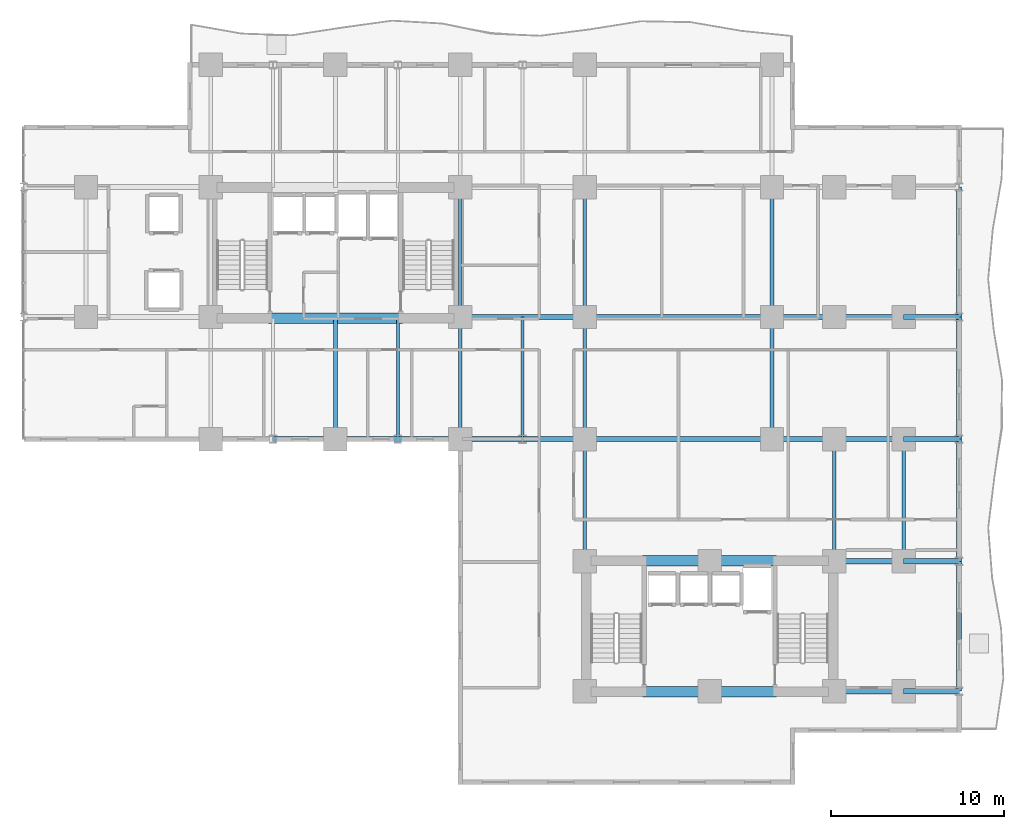
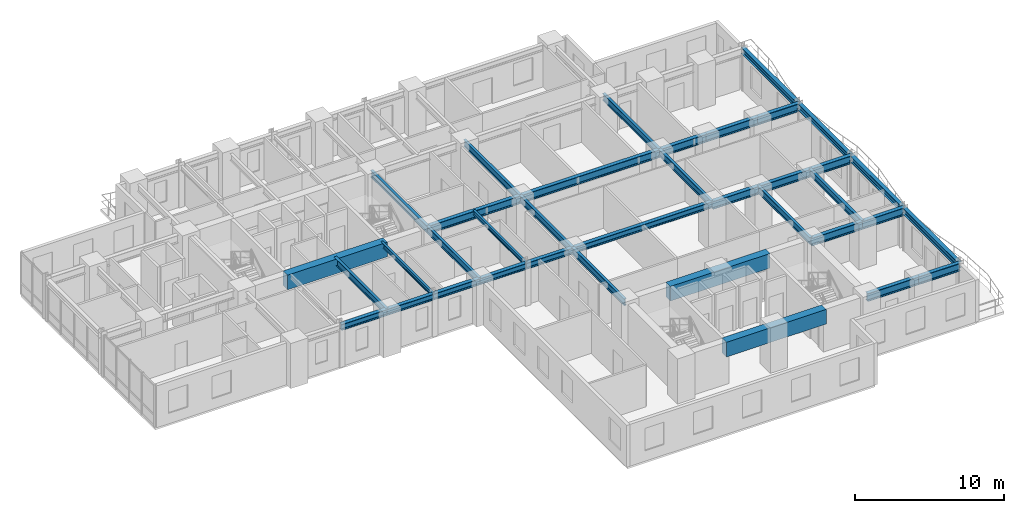
# One storey, part 5 of 17: 37 beams.
"""IFC4 building model written with IfcOpenShell, lengths in metres."""

import ifcopenshell
import ifcopenshell.guid

model = None  # the IFC model being written
_history = None  # IfcOwnerHistory: only IFC2X3 demands one
_inside = {}  # id of a spatial element -> (the spatial element, [elements in it])
_under = {}  # id of a project, library or spatial element -> (it, [spatial elements below it])
_declared = {}  # id of a project -> (the project, [libraries it declares])
_typed = {}  # id of a type object -> (the type object, [elements of that type])
_made_of = {}  # id of a material, layer set ... -> (it, [elements and type objects made of it])


def new_model(schema):
    """Start an empty IFC model of exactly this schema.

    Asked for "IFC4X3", IfcOpenShell would pick the latest addendum, in which some entities
    have other attributes; the version numbers below select the first issue.
    IFC2X3 requires an IfcOwnerHistory on every rooted entity: one is made here for all.
    """
    global model, _history
    if schema == "IFC4X3":
        model = ifcopenshell.file(schema_version=(4, 3, 0, 0))
    else:
        model = ifcopenshell.file(schema=schema)
    _inside.clear()
    _under.clear()
    _declared.clear()
    _typed.clear()
    _made_of.clear()
    _history = None
    if model.schema == "IFC2X3":
        org = make("IfcOrganization", Name="unknown")
        user = make(
            "IfcPersonAndOrganization",
            ThePerson=make("IfcPerson", FamilyName="unknown"),
            TheOrganization=org,
        )
        app = make(
            "IfcApplication",
            ApplicationDeveloper=org,
            Version="unknown",
            ApplicationFullName="unknown",
            ApplicationIdentifier="unknown",
        )
        _history = make(
            "IfcOwnerHistory",
            OwningUser=user,
            OwningApplication=app,
            ChangeAction="ADDED",
            CreationDate=0,
        )
    return model


def make(cls, **values):
    """One entity of the class cls with the attributes given. An attribute that is None is left unset."""
    return model.create_entity(
        cls, **{name: value for name, value in values.items() if value is not None}
    )


def rooted(cls, **values):
    """An entity with a GlobalId (a new one), such as an element, a storey or a relation."""
    return make(cls, GlobalId=ifcopenshell.guid.new(), OwnerHistory=_history, **values)


def si_unit(unit_type, name, prefix=None):
    """IfcSIUnit, for example si_unit("LENGTHUNIT", "METRE", prefix="MILLI")."""
    return make("IfcSIUnit", UnitType=unit_type, Prefix=prefix, Name=name)


def assignment(units):
    """IfcUnitAssignment: the units of a project."""
    return None if units is None else make("IfcUnitAssignment", Units=units)


def point(xyz):
    """IfcCartesianPoint."""
    return None if xyz is None else make("IfcCartesianPoint", Coordinates=xyz)


def direction(xyz):
    """IfcDirection."""
    return None if xyz is None else make("IfcDirection", DirectionRatios=xyz)


def frame(location, z_axis=None, x_axis=None):
    """IfcAxis2Placement3D, a coordinate frame: its origin and axes. An axis left out is left unset."""
    return make(
        "IfcAxis2Placement3D",
        Location=point(location),
        Axis=direction(z_axis),
        RefDirection=direction(x_axis),
    )


def frame_2d(location, x_axis=None):
    """IfcAxis2Placement2D, a coordinate frame in the plane: its origin and x axis."""
    return make(
        "IfcAxis2Placement2D", Location=point(location), RefDirection=direction(x_axis)
    )


def origin():
    """The frame at (0, 0, 0) with its axes left unset."""
    return frame((0.0, 0.0, 0.0))


def origin_2d():
    """The frame at (0, 0) in the plane with its x axis left unset."""
    return frame_2d((0.0, 0.0))


def place(relative_to, where):
    """IfcLocalPlacement: puts the frame where relative to a parent placement (None: the world)."""
    return make(
        "IfcLocalPlacement", PlacementRelTo=relative_to, RelativePlacement=where
    )


def context(
    kind, dimensions, precision=None, world=None, true_north=None, identifier=None
):
    """IfcGeometricRepresentationContext, for example the 3D "Model" context."""
    return make(
        "IfcGeometricRepresentationContext",
        ContextIdentifier=identifier,
        ContextType=kind,
        CoordinateSpaceDimension=dimensions,
        Precision=precision,
        WorldCoordinateSystem=world,
        TrueNorth=true_north,
    )


def subcontext(parent, identifier, kind, view, scale=None):
    """IfcGeometricRepresentationSubContext, for example "Body" below "Model"."""
    return make(
        "IfcGeometricRepresentationSubContext",
        ContextIdentifier=identifier,
        ContextType=kind,
        ParentContext=parent,
        TargetScale=scale,
        TargetView=view,
    )


def project(units=None, contexts=None):
    """IfcProject with its units and contexts."""
    return rooted(
        "IfcProject",
        Name="project",
        RepresentationContexts=contexts,
        UnitsInContext=assignment(units),
    )


def spatial(cls, under=None, at=None, **own):
    """A site, building, storey or space (cls), placed at a placement, below another one or the project."""
    s = rooted(cls, ObjectPlacement=at, **own)
    if under is not None:
        _under.setdefault(under.id(), (under, []))[1].append(s)
    return s


def profile(cls, at=None, kind="AREA", **sizes):
    """A parametric profile (cls). Its sizes go by their IFC names, for example OverallWidth=200.0."""
    return make(cls, ProfileType=kind, Position=at, **sizes)


def rectangle(**sizes):
    """IfcRectangleProfileDef."""
    return profile("IfcRectangleProfileDef", **sizes)


def i_section(**sizes):
    """IfcIShapeProfileDef."""
    return profile("IfcIShapeProfileDef", **sizes)


def extrude(swept, where, along, depth):
    """IfcExtrudedAreaSolid: the profile swept, set in the frame where, extruded along a direction by depth."""
    return make(
        "IfcExtrudedAreaSolid",
        SweptArea=swept,
        Position=where,
        ExtrudedDirection=direction(along),
        Depth=depth,
    )


def shape(context_of_items, identifier, shape_type, items):
    """IfcShapeRepresentation: the items that make up one representation, for example the "Body"."""
    return make(
        "IfcShapeRepresentation",
        ContextOfItems=context_of_items,
        RepresentationIdentifier=identifier,
        RepresentationType=shape_type,
        Items=items,
    )


def source(mapping_origin, context_of_items, identifier, shape_type, items):
    """IfcRepresentationMap: a shape defined once, which mapped items show again and again."""
    return make(
        "IfcRepresentationMap",
        MappingOrigin=mapping_origin,
        MappedRepresentation=shape(context_of_items, identifier, shape_type, items),
    )


def transform(
    local_origin,
    x_axis=None,
    y_axis=None,
    z_axis=None,
    scale=None,
    scale2=None,
    scale3=None,
    uniform=True,
):
    """IfcCartesianTransformationOperator3D, or its non-uniform kind. x_axis, y_axis, z_axis: its Axis1, 2, 3."""
    if uniform:
        return make(
            "IfcCartesianTransformationOperator3D",
            Axis1=direction(x_axis),
            Axis2=direction(y_axis),
            LocalOrigin=point(local_origin),
            Scale=scale,
            Axis3=direction(z_axis),
        )
    return make(
        "IfcCartesianTransformationOperator3DnonUniform",
        Axis1=direction(x_axis),
        Axis2=direction(y_axis),
        LocalOrigin=point(local_origin),
        Scale=scale,
        Axis3=direction(z_axis),
        Scale2=scale2,
        Scale3=scale3,
    )


def mapped(mapping_source, mapping_target):
    """IfcMappedItem: shows the shape of a source again, moved by a transform."""
    return make(
        "IfcMappedItem", MappingSource=mapping_source, MappingTarget=mapping_target
    )


def material(Name=None, Category=None):
    """IfcMaterial."""
    return make("IfcMaterial", Name=Name, Category=Category)


def material_profile(
    of_material, cross_section, Name=None, Category=None, Priority=None
):
    """IfcMaterialProfile: a cross section and its material."""
    return make(
        "IfcMaterialProfile",
        Name=Name,
        Material=of_material,
        Profile=cross_section,
        Priority=Priority,
        Category=Category,
    )


def profile_set(profiles, Name=None, composite=None):
    """IfcMaterialProfileSet."""
    return make(
        "IfcMaterialProfileSet",
        Name=Name,
        MaterialProfiles=profiles,
        CompositeProfile=composite,
    )


def made_of(thing, what):
    """Note that an element or type object is made of a material, layer set ...; save() writes the relation."""
    if what is not None:
        _made_of.setdefault(what.id(), (what, []))[1].append(thing)
    return thing


def type_object(cls, material=None, **own):
    """A type object (cls), such as IfcWallType, which elements share."""
    return made_of(rooted(cls, **own), material)


def element(
    cls,
    number,
    at=None,
    inside=None,
    cuts=None,
    type_object=None,
    material=None,
    context=None,
    identifier="Body",
    shape_type=None,
    held_by="IfcProductDefinitionShape",
    body=None,
    shapes=None,
    **own,
):
    """One element of the class cls, such as IfcWall. Its Tag is "e" and its number.

    at: its placement. inside: the storey or other place that contains it. cuts: it is an
    opening in that element (IfcRelVoidsElement). A single representation is given by context,
    identifier, shape_type and body (its items); several are given by shapes. held_by: the class
    of the entity that holds the representations. save() writes the other relations.
    """
    e = rooted(cls, Tag="e%d" % number, ObjectPlacement=at, **own)
    if body is not None:
        shapes = [shape(context, identifier, shape_type, body)]
    if shapes is not None:
        e.Representation = make(held_by, Representations=shapes)
    if inside is not None:
        _inside.setdefault(inside.id(), (inside, []))[1].append(e)
    if cuts is not None:
        rooted(
            "IfcRelVoidsElement", RelatingBuildingElement=cuts, RelatedOpeningElement=e
        )
    if type_object is not None:
        _typed.setdefault(type_object.id(), (type_object, []))[1].append(e)
    return made_of(e, material)


def aggregate(whole, parts):
    """IfcRelAggregates: a whole, such as a stair, and the parts it consists of."""
    return rooted("IfcRelAggregates", RelatingObject=whole, RelatedObjects=parts)


def save(model, path):
    """Write the relations noted so far, then the file.

    IfcRelAggregates (storeys below a building ...), IfcRelContainedInSpatialStructure (elements
    in a storey), IfcRelDefinesByType, IfcRelAssociatesMaterial and IfcRelDeclares: one each for
    every whole, place, type object, material and project.
    """
    for whole, parts in _under.values():
        aggregate(whole, parts)
    for where, things in _inside.values():
        rooted(
            "IfcRelContainedInSpatialStructure",
            RelatedElements=things,
            RelatingStructure=where,
        )
    for kind, things in _typed.values():
        rooted("IfcRelDefinesByType", RelatedObjects=things, RelatingType=kind)
    for what, things in _made_of.values():
        rooted("IfcRelAssociatesMaterial", RelatedObjects=things, RelatingMaterial=what)
    for by, libraries in _declared.values():
        rooted("IfcRelDeclares", RelatingContext=by, RelatedDefinitions=libraries)
    model.write(path)


model = new_model("IFC4")

# Units and contexts
model_context = context("Model", 3, precision=1e-05, world=origin(), true_north=direction((0.0, 1.0)))
body_context = subcontext(model_context, "Body", "Model", "MODEL_VIEW")
ifc_project = project(units=[si_unit("LENGTHUNIT", "METRE"), si_unit("AREAUNIT", "SQUARE_METRE"), si_unit("VOLUMEUNIT", "CUBIC_METRE"), si_unit("PLANEANGLEUNIT", "RADIAN"), si_unit("MASSUNIT", "GRAM", prefix="KILO")], contexts=[model_context])

# Site, building, storey
site_placement = place(None, origin())
site = spatial("IfcSite", under=ifc_project, at=site_placement, CompositionType="ELEMENT")
building_placement = place(site_placement, origin())
building = spatial("IfcBuilding", under=site, at=building_placement, Name="Kaliganga Portal Commons", CompositionType="ELEMENT")
storey_placement = place(building_placement, frame((0.0, 0.0, 62.300048828125)))
storey = spatial("IfcBuildingStorey", under=building, at=storey_placement, Name="L15", CompositionType="ELEMENT", Elevation=62.300048828125)

# Beams
ifc_material_1 = material(Name="Concrete C60/75", Category="concrete")
ifc_material_profile_1 = material_profile(ifc_material_1, rectangle(XDim=0.60009765625, YDim=1.199951171875, at=origin_2d()), Name="RC 600x1200")
ifc_profile_set_1 = profile_set([ifc_material_profile_1], Name="Concrete C60/75")
beam_type_1 = type_object("IfcBeamType", Name="BM-CPL-1200", PredefinedType="LINTEL", material=ifc_profile_set_1)
shared_shape_1 = source(origin(), body_context, "Body", "SweptSolid", [
    extrude(rectangle(XDim=0.60009765625, YDim=1.199951171875, at=origin_2d()), origin(), (0.0, 0.0, 1.0), 7.739990234375),
])
for number, where, z_axis, x_axis, name in (
    (1, (17.72998046875, 28.574951171875, 2.849853515625), (1.0, 0.0, 0.0), (0.0, 1.0, 0.0), "BM CPL COREA L15 S"),
    (2, (39.330078125, 7.02490234375, 2.849853515625), (1.0, 0.0, 0.0), (0.0, 1.0, 0.0), "BM CPL COREB L15 S"),
    (3, (39.330078125, 14.574951171875, 2.849853515625), (1.0, 0.0, 0.0), (0.0, 1.0, 0.0), "BM CPL COREB L15 N"),
):
    element("IfcBeam", number, at=place(storey_placement, frame(where, z_axis=z_axis, x_axis=x_axis)), inside=storey, type_object=beam_type_1, Name=name, PredefinedType="LINTEL", context=body_context, shape_type="MappedRepresentation", body=[
        mapped(shared_shape_1, transform((0.0, 0.0, 0.0), x_axis=(1.0, 0.0, 0.0), y_axis=(0.0, 1.0, 0.0), z_axis=(0.0, 0.0, 1.0), scale=1.0)),
    ])
ifc_material_2 = material(Name="Structural steel S355J2", Category="steel")
ifc_material_profile_2 = material_profile(ifc_material_2, i_section(OverallWidth=0.300048828125, OverallDepth=0.5, WebThickness=0.014404296875, FlangeThickness=0.028076171875, FilletRadius=0.027099609375, at=origin_2d()), Name="HE 500 B")
ifc_profile_set_2 = profile_set([ifc_material_profile_2], Name="Structural steel S355J2 wide-flange")
beam_type_2 = type_object("IfcBeamType", Name="BM-SPAND-500", PredefinedType="SPANDREL", material=ifc_profile_set_2)
shared_shape_2 = source(origin(), body_context, "Body", "SweptSolid", [
    extrude(i_section(OverallWidth=0.300048828125, OverallDepth=0.5, WebThickness=0.014404296875, FlangeThickness=0.028076171875, FilletRadius=0.027099609375, at=origin_2d()), origin(), (0.0, 0.0, 1.0), 10.800048828125),
])
beam_1_placement = place(storey_placement, frame((36.0, 21.60009765625, 3.199951171875), z_axis=(1.0, 0.0, 0.0), x_axis=(0.0, 1.0, 0.0)))
element("IfcBeam", 4, at=beam_1_placement, inside=storey, type_object=beam_type_2, Name="BM SP L15 AS 7", PredefinedType="SPANDREL", context=body_context, shape_type="MappedRepresentation", body=[
    mapped(shared_shape_2, transform((0.0, 0.0, 0.0), x_axis=(1.0, 0.0, 0.0), y_axis=(0.0, 1.0, 0.0), z_axis=(0.0, 0.0, 1.0), scale=1.0)),
])
shared_shape_3 = source(origin(), body_context, "Body", "SweptSolid", [
    extrude(i_section(OverallWidth=0.300048828125, OverallDepth=0.5, WebThickness=0.014404296875, FlangeThickness=0.028076171875, FilletRadius=0.027099609375, at=origin_2d()), origin(), (0.0, 0.0, 1.0), 7.5),
])
for number, where, z_axis, x_axis, name in (
    (5, (57.60009765625, 7.050048828125, 3.199951171875), (0.0, 1.0, 0.0), (-1.0, 0.0, 0.0), "BM SP L15 BE 1"),
    (6, (57.60009765625, 28.64990234375, 3.199951171875), (0.0, 1.0, 0.0), (-1.0, 0.0, 0.0), "BM SP L15 BE 4"),
):
    element("IfcBeam", number, at=place(storey_placement, frame(where, z_axis=z_axis, x_axis=x_axis)), inside=storey, type_object=beam_type_2, Name=name, PredefinedType="SPANDREL", context=body_context, shape_type="MappedRepresentation", body=[
        mapped(shared_shape_3, transform((0.0, 0.0, 0.0), x_axis=(1.0, 0.0, 0.0), y_axis=(0.0, 1.0, 0.0), z_axis=(0.0, 0.0, 1.0), scale=1.0)),
    ])
shared_shape_4 = source(origin(), body_context, "Body", "SweptSolid", [
    extrude(i_section(OverallWidth=0.300048828125, OverallDepth=0.5, WebThickness=0.014404296875, FlangeThickness=0.028076171875, FilletRadius=0.027099609375, at=origin_2d()), origin(), (0.0, 0.0, 1.0), 7.050048828125),
])
beam_2_placement = place(storey_placement, frame((57.60009765625, 14.550048828125, 3.199951171875), z_axis=(0.0, 1.0, 0.0), x_axis=(-1.0, 0.0, 0.0)))
element("IfcBeam", 7, at=beam_2_placement, inside=storey, type_object=beam_type_2, Name="BM SP L15 BE 2", PredefinedType="SPANDREL", context=body_context, shape_type="MappedRepresentation", body=[
    mapped(shared_shape_4, transform((0.0, 0.0, 0.0), x_axis=(1.0, 0.0, 0.0), y_axis=(0.0, 1.0, 0.0), z_axis=(0.0, 0.0, 1.0), scale=1.0)),
])
shared_shape_5 = source(origin(), body_context, "Body", "SweptSolid", [
    extrude(i_section(OverallWidth=0.300048828125, OverallDepth=0.5, WebThickness=0.014404296875, FlangeThickness=0.028076171875, FilletRadius=0.027099609375, at=origin_2d()), origin(), (0.0, 0.0, 1.0), 7.0498046875),
])
beam_3_placement = place(storey_placement, frame((57.60009765625, 21.60009765625, 3.199951171875), z_axis=(0.0, 1.0, 0.0), x_axis=(-1.0, 0.0, 0.0)))
element("IfcBeam", 8, at=beam_3_placement, inside=storey, type_object=beam_type_2, Name="BM SP L15 BE 3", PredefinedType="SPANDREL", context=body_context, shape_type="MappedRepresentation", body=[
    mapped(shared_shape_5, transform((0.0, 0.0, 0.0), x_axis=(1.0, 0.0, 0.0), y_axis=(0.0, 1.0, 0.0), z_axis=(0.0, 0.0, 1.0), scale=1.0)),
])
shared_shape_6 = source(origin(), body_context, "Body", "SweptSolid", [
    extrude(i_section(OverallWidth=0.300048828125, OverallDepth=0.5, WebThickness=0.014404296875, FlangeThickness=0.028076171875, FilletRadius=0.027099609375, at=origin_2d()), origin(), (0.0, 0.0, 1.0), 3.60009765625),
])
for number, where, z_axis, x_axis, name in (
    (9, (18.0, 21.60009765625, 3.199951171875), (1.0, 0.0, 0.0), (0.0, 1.0, 0.0), "BM SP L15 AS 2"),
    (10, (25.199951171875, 21.60009765625, 3.199951171875), (1.0, 0.0, 0.0), (0.0, 1.0, 0.0), "BM SP L15 AS 4"),
    (11, (32.39990234375, 21.60009765625, 3.199951171875), (1.0, 0.0, 0.0), (0.0, 1.0, 0.0), "BM SP L15 AS 6"),
):
    element("IfcBeam", number, at=place(storey_placement, frame(where, z_axis=z_axis, x_axis=x_axis)), inside=storey, type_object=beam_type_2, Name=name, PredefinedType="SPANDREL", context=body_context, shape_type="MappedRepresentation", body=[
        mapped(shared_shape_6, transform((0.0, 0.0, 0.0), x_axis=(1.0, 0.0, 0.0), y_axis=(0.0, 1.0, 0.0), z_axis=(0.0, 0.0, 1.0), scale=1.0)),
    ])
shared_shape_7 = source(origin(), body_context, "Body", "SweptSolid", [
    extrude(i_section(OverallWidth=0.300048828125, OverallDepth=0.5, WebThickness=0.014404296875, FlangeThickness=0.028076171875, FilletRadius=0.027099609375, at=origin_2d()), origin(), (0.0, 0.0, 1.0), 3.599853515625),
])
for number, where, z_axis, x_axis, name in (
    (12, (21.60009765625, 21.60009765625, 3.199951171875), (1.0, 0.0, 0.0), (0.0, 1.0, 0.0), "BM SP L15 AS 3"),
    (13, (28.800048828125, 21.60009765625, 3.199951171875), (1.0, 0.0, 0.0), (0.0, 1.0, 0.0), "BM SP L15 AS 5"),
):
    element("IfcBeam", number, at=place(storey_placement, frame(where, z_axis=z_axis, x_axis=x_axis)), inside=storey, type_object=beam_type_2, Name=name, PredefinedType="SPANDREL", context=body_context, shape_type="MappedRepresentation", body=[
        mapped(shared_shape_7, transform((0.0, 0.0, 0.0), x_axis=(1.0, 0.0, 0.0), y_axis=(0.0, 1.0, 0.0), z_axis=(0.0, 0.0, 1.0), scale=1.0)),
    ])
ifc_material_profile_3 = material_profile(ifc_material_2, i_section(OverallWidth=0.300048828125, OverallDepth=0.64990234375, WebThickness=0.01611328125, FlangeThickness=0.031005859375, FilletRadius=0.027099609375, at=origin_2d()), Name="HE 650 B")
ifc_profile_set_3 = profile_set([ifc_material_profile_3], Name="Structural steel S355J2 wide-flange")
beam_type_3 = type_object("IfcBeamType", Name="BM-GIRD-650", PredefinedType="USERDEFINED", material=ifc_profile_set_3)
shared_shape_8 = source(origin(), body_context, "Body", "SweptSolid", [
    extrude(i_section(OverallWidth=0.300048828125, OverallDepth=0.64990234375, WebThickness=0.01611328125, FlangeThickness=0.031005859375, FilletRadius=0.027099609375, at=origin_2d()), origin(), (0.0, 0.0, 1.0), 3.599853515625),
])
for number, where, z_axis, x_axis, name in (
    (14, (46.800048828125, 21.60009765625, 3.125), (1.0, 0.0, 0.0), (0.0, 1.0, 0.0), "BM G L15 BKE216 1"),
    (15, (46.800048828125, 28.64990234375, 3.125), (1.0, 0.0, 0.0), (0.0, 1.0, 0.0), "BM G L15 BKE286 1"),
):
    element("IfcBeam", number, at=place(storey_placement, frame(where, z_axis=z_axis, x_axis=x_axis)), inside=storey, type_object=beam_type_3, Name=name, ObjectType="GIRDER", PredefinedType="USERDEFINED", context=body_context, shape_type="MappedRepresentation", body=[
        mapped(shared_shape_8, transform((0.0, 0.0, 0.0), x_axis=(1.0, 0.0, 0.0), y_axis=(0.0, 1.0, 0.0), z_axis=(0.0, 0.0, 1.0), scale=1.0)),
    ])
shared_shape_9 = source(origin(), body_context, "Body", "SweptSolid", [
    extrude(i_section(OverallWidth=0.300048828125, OverallDepth=0.64990234375, WebThickness=0.01611328125, FlangeThickness=0.031005859375, FilletRadius=0.027099609375, at=origin_2d()), origin(), (0.0, 0.0, 1.0), 7.199951171875),
])
beam_4_placement = place(storey_placement, frame((28.800048828125, 28.64990234375, 3.125), z_axis=(1.0, 0.0, 0.0), x_axis=(0.0, 1.0, 0.0)))
element("IfcBeam", 16, at=beam_4_placement, inside=storey, type_object=beam_type_3, Name="BM G L15 WAE_S 1", ObjectType="GIRDER", PredefinedType="USERDEFINED", context=body_context, shape_type="MappedRepresentation", body=[
    mapped(shared_shape_9, transform((0.0, 0.0, 0.0), x_axis=(1.0, 0.0, 0.0), y_axis=(0.0, 1.0, 0.0), z_axis=(0.0, 0.0, 1.0), scale=1.0)),
])
shared_shape_10 = source(origin(), body_context, "Body", "SweptSolid", [
    extrude(i_section(OverallWidth=0.300048828125, OverallDepth=0.64990234375, WebThickness=0.01611328125, FlangeThickness=0.031005859375, FilletRadius=0.027099609375, at=origin_2d()), origin(), (0.0, 0.0, 1.0), 10.800048828125),
])
beam_5_placement = place(storey_placement, frame((36.0, 28.64990234375, 3.125), z_axis=(1.0, 0.0, 0.0), x_axis=(0.0, 1.0, 0.0)))
element("IfcBeam", 17, at=beam_5_placement, inside=storey, type_object=beam_type_3, Name="BM G L15 WAE_S 2", ObjectType="GIRDER", PredefinedType="USERDEFINED", context=body_context, shape_type="MappedRepresentation", body=[
    mapped(shared_shape_10, transform((0.0, 0.0, 0.0), x_axis=(1.0, 0.0, 0.0), y_axis=(0.0, 1.0, 0.0), z_axis=(0.0, 0.0, 1.0), scale=1.0)),
])
ifc_material_profile_4 = material_profile(ifc_material_2, i_section(OverallWidth=0.2099609375, OverallDepth=0.550048828125, WebThickness=0.010986328125, FlangeThickness=0.01708984375, FilletRadius=0.02392578125, at=origin_2d()), Name="IPE 550")
ifc_profile_set_4 = profile_set([ifc_material_profile_4], Name="Structural steel S355J2 wide-flange")
beam_type_4 = type_object("IfcBeamType", Name="BM-FLR-550", PredefinedType="BEAM", material=ifc_profile_set_4)
shared_shape_11 = source(origin(), body_context, "Body", "SweptSolid", [
    extrude(i_section(OverallWidth=0.2099609375, OverallDepth=0.550048828125, WebThickness=0.010986328125, FlangeThickness=0.01708984375, FilletRadius=0.02392578125, at=origin_2d()), origin(), (0.0, 0.0, 1.0), 7.5),
])
for number, where, z_axis, x_axis, name in (
    (18, (28.800048828125, 28.64990234375, 3.175048828125), (0.0, 1.0, 0.0), (-1.0, 0.0, 0.0), "BM G L15 AM288"),
    (19, (36.0, 28.64990234375, 3.175048828125), (0.0, 1.0, 0.0), (-1.0, 0.0, 0.0), "BM G L15 AM360"),
    (20, (46.800048828125, 28.64990234375, 3.175048828125), (0.0, 1.0, 0.0), (-1.0, 0.0, 0.0), "BM G L15 AM468"),
):
    element("IfcBeam", number, at=place(storey_placement, frame(where, z_axis=z_axis, x_axis=x_axis)), inside=storey, type_object=beam_type_4, Name=name, PredefinedType="BEAM", context=body_context, shape_type="MappedRepresentation", body=[
        mapped(shared_shape_11, transform((0.0, 0.0, 0.0), x_axis=(1.0, 0.0, 0.0), y_axis=(0.0, 1.0, 0.0), z_axis=(0.0, 0.0, 1.0), scale=1.0)),
    ])
shared_shape_12 = source(origin(), body_context, "Body", "SweptSolid", [
    extrude(i_section(OverallWidth=0.2099609375, OverallDepth=0.550048828125, WebThickness=0.010986328125, FlangeThickness=0.01708984375, FilletRadius=0.02392578125, at=origin_2d()), origin(), (0.0, 0.0, 1.0), 7.050048828125),
])
for number, where, z_axis, x_axis, name in (
    (21, (36.0, 14.550048828125, 3.175048828125), (0.0, 1.0, 0.0), (-1.0, 0.0, 0.0), "BM G L15 BNK360"),
    (22, (50.39990234375, 14.550048828125, 3.175048828125), (0.0, 1.0, 0.0), (-1.0, 0.0, 0.0), "BM G L15 BNK504"),
    (23, (54.39990234375, 14.550048828125, 3.175048828125), (0.0, 1.0, 0.0), (-1.0, 0.0, 0.0), "BM G L15 BNK544"),
):
    element("IfcBeam", number, at=place(storey_placement, frame(where, z_axis=z_axis, x_axis=x_axis)), inside=storey, type_object=beam_type_4, Name=name, PredefinedType="BEAM", context=body_context, shape_type="MappedRepresentation", body=[
        mapped(shared_shape_12, transform((0.0, 0.0, 0.0), x_axis=(1.0, 0.0, 0.0), y_axis=(0.0, 1.0, 0.0), z_axis=(0.0, 0.0, 1.0), scale=1.0)),
    ])
shared_shape_13 = source(origin(), body_context, "Body", "SweptSolid", [
    extrude(i_section(OverallWidth=0.2099609375, OverallDepth=0.550048828125, WebThickness=0.010986328125, FlangeThickness=0.01708984375, FilletRadius=0.02392578125, at=origin_2d()), origin(), (0.0, 0.0, 1.0), 7.0498046875),
])
for number, where, z_axis, x_axis, name in (
    (24, (28.800048828125, 21.60009765625, 3.175048828125), (0.0, 1.0, 0.0), (-1.0, 0.0, 0.0), "BM G L15 AS288"),
    (25, (36.0, 21.60009765625, 3.175048828125), (0.0, 1.0, 0.0), (-1.0, 0.0, 0.0), "BM G L15 AS360"),
    (26, (46.800048828125, 21.60009765625, 3.175048828125), (0.0, 1.0, 0.0), (-1.0, 0.0, 0.0), "BM G L15 AS468"),
):
    element("IfcBeam", number, at=place(storey_placement, frame(where, z_axis=z_axis, x_axis=x_axis)), inside=storey, type_object=beam_type_4, Name=name, PredefinedType="BEAM", context=body_context, shape_type="MappedRepresentation", body=[
        mapped(shared_shape_13, transform((0.0, 0.0, 0.0), x_axis=(1.0, 0.0, 0.0), y_axis=(0.0, 1.0, 0.0), z_axis=(0.0, 0.0, 1.0), scale=1.0)),
    ])
ifc_material_profile_5 = material_profile(ifc_material_2, i_section(OverallWidth=0.169921875, OverallDepth=0.360107421875, WebThickness=0.008056640625, FlangeThickness=0.0126953125, FilletRadius=0.01806640625, at=origin_2d()), Name="IPE 360")
ifc_profile_set_5 = profile_set([ifc_material_profile_5], Name="Structural steel S355J2 wide-flange")
beam_type_5 = type_object("IfcBeamType", Name="BM-JST-360", PredefinedType="JOIST", material=ifc_profile_set_5)
shared_shape_14 = source(origin(), body_context, "Body", "SweptSolid", [
    extrude(i_section(OverallWidth=0.169921875, OverallDepth=0.360107421875, WebThickness=0.008056640625, FlangeThickness=0.0126953125, FilletRadius=0.01806640625, at=origin_2d()), origin(), (0.0, 0.0, 1.0), 6.974853515625),
])
beam_6_placement = place(storey_placement, frame((25.199951171875, 21.60009765625, 3.27001953125), z_axis=(0.0, 1.0, 0.0), x_axis=(-1.0, 0.0, 0.0)))
element("IfcBeam", 27, at=beam_6_placement, inside=storey, type_object=beam_type_5, Name="BM G L15 AS252", PredefinedType="JOIST", context=body_context, shape_type="MappedRepresentation", body=[
    mapped(shared_shape_14, transform((0.0, 0.0, 0.0), x_axis=(1.0, 0.0, 0.0), y_axis=(0.0, 1.0, 0.0), z_axis=(0.0, 0.0, 1.0), scale=1.0)),
])
shared_shape_15 = source(origin(), body_context, "Body", "SweptSolid", [
    extrude(i_section(OverallWidth=0.2099609375, OverallDepth=0.550048828125, WebThickness=0.010986328125, FlangeThickness=0.01708984375, FilletRadius=0.02392578125, at=origin_2d()), origin(), (0.0, 0.0, 1.0), 6.974853515625),
])
beam_7_placement = place(storey_placement, frame((21.60009765625, 21.60009765625, 3.175048828125), z_axis=(0.0, 1.0, 0.0), x_axis=(-1.0, 0.0, 0.0)))
element("IfcBeam", 28, at=beam_7_placement, inside=storey, type_object=beam_type_4, Name="BM G L15 AS216", PredefinedType="BEAM", context=body_context, shape_type="MappedRepresentation", body=[
    mapped(shared_shape_15, transform((0.0, 0.0, 0.0), x_axis=(1.0, 0.0, 0.0), y_axis=(0.0, 1.0, 0.0), z_axis=(0.0, 0.0, 1.0), scale=1.0)),
])
shared_shape_16 = source(origin(), body_context, "Body", "SweptSolid", [
    extrude(i_section(OverallWidth=0.169921875, OverallDepth=0.360107421875, WebThickness=0.008056640625, FlangeThickness=0.0126953125, FilletRadius=0.01806640625, at=origin_2d()), origin(), (0.0, 0.0, 1.0), 7.0498046875),
])
beam_8_placement = place(storey_placement, frame((32.39990234375, 21.60009765625, 3.27001953125), z_axis=(0.0, 1.0, 0.0), x_axis=(-1.0, 0.0, 0.0)))
element("IfcBeam", 29, at=beam_8_placement, inside=storey, type_object=beam_type_5, Name="BM G L15 AS324", PredefinedType="JOIST", context=body_context, shape_type="MappedRepresentation", body=[
    mapped(shared_shape_16, transform((0.0, 0.0, 0.0), x_axis=(1.0, 0.0, 0.0), y_axis=(0.0, 1.0, 0.0), z_axis=(0.0, 0.0, 1.0), scale=1.0)),
])
shared_shape_17 = source(origin(), body_context, "Body", "SweptSolid", [
    extrude(i_section(OverallWidth=0.300048828125, OverallDepth=0.64990234375, WebThickness=0.01611328125, FlangeThickness=0.031005859375, FilletRadius=0.027099609375, at=origin_2d()), origin(), (0.0, 0.0, 1.0), 4.0),
])
for number, where, z_axis, x_axis, name in (
    (30, (50.39990234375, 7.050048828125, 3.125), (1.0, 0.0, 0.0), (0.0, 1.0, 0.0), "BM G L15 BKE70 1"),
    (31, (50.39990234375, 14.550048828125, 3.125), (1.0, 0.0, 0.0), (0.0, 1.0, 0.0), "BM G L15 BKE146 1"),
    (32, (50.39990234375, 21.60009765625, 3.125), (1.0, 0.0, 0.0), (0.0, 1.0, 0.0), "BM G L15 BKE216 2"),
    (33, (50.39990234375, 28.64990234375, 3.125), (1.0, 0.0, 0.0), (0.0, 1.0, 0.0), "BM G L15 BKE286 2"),
):
    element("IfcBeam", number, at=place(storey_placement, frame(where, z_axis=z_axis, x_axis=x_axis)), inside=storey, type_object=beam_type_3, Name=name, ObjectType="GIRDER", PredefinedType="USERDEFINED", context=body_context, shape_type="MappedRepresentation", body=[
        mapped(shared_shape_17, transform((0.0, 0.0, 0.0), x_axis=(1.0, 0.0, 0.0), y_axis=(0.0, 1.0, 0.0), z_axis=(0.0, 0.0, 1.0), scale=1.0)),
    ])
shared_shape_18 = source(origin(), body_context, "Body", "SweptSolid", [
    extrude(i_section(OverallWidth=0.300048828125, OverallDepth=0.64990234375, WebThickness=0.01611328125, FlangeThickness=0.031005859375, FilletRadius=0.027099609375, at=origin_2d()), origin(), (0.0, 0.0, 1.0), 3.2001953125),
])
for number, where, z_axis, x_axis, name in (
    (34, (54.39990234375, 7.050048828125, 3.125), (1.0, 0.0, 0.0), (0.0, 1.0, 0.0), "BM G L15 BKE70 2"),
    (35, (54.39990234375, 14.550048828125, 3.125), (1.0, 0.0, 0.0), (0.0, 1.0, 0.0), "BM G L15 BKE146 2"),
    (36, (54.39990234375, 21.60009765625, 3.125), (1.0, 0.0, 0.0), (0.0, 1.0, 0.0), "BM G L15 BKE216 3"),
    (37, (54.39990234375, 28.64990234375, 3.125), (1.0, 0.0, 0.0), (0.0, 1.0, 0.0), "BM G L15 BKE286 3"),
):
    element("IfcBeam", number, at=place(storey_placement, frame(where, z_axis=z_axis, x_axis=x_axis)), inside=storey, type_object=beam_type_3, Name=name, ObjectType="GIRDER", PredefinedType="USERDEFINED", context=body_context, shape_type="MappedRepresentation", body=[
        mapped(shared_shape_18, transform((0.0, 0.0, 0.0), x_axis=(1.0, 0.0, 0.0), y_axis=(0.0, 1.0, 0.0), z_axis=(0.0, 0.0, 1.0), scale=1.0)),
    ])

save(model, "model.ifc")
